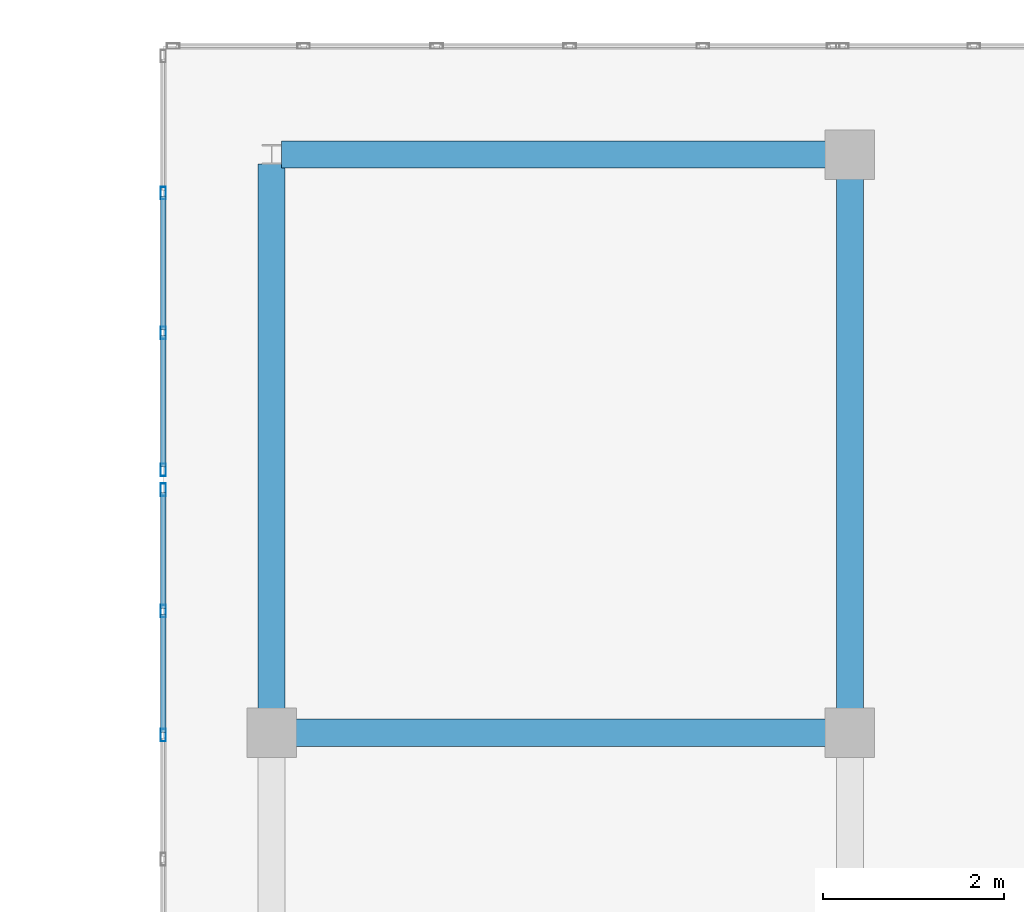
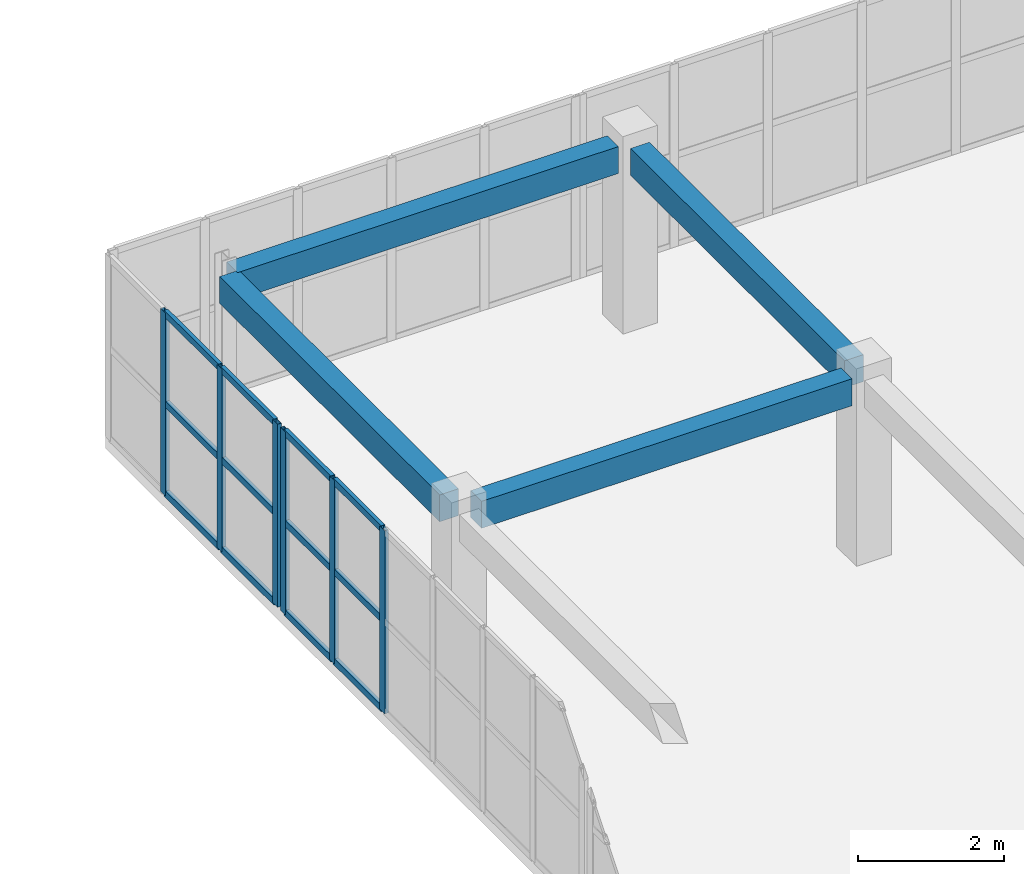
# One storey, part 55 of 148: 18 members, 4 beams, 2 elements without a shape of their own.
"""IFC4 building model written with IfcOpenShell, lengths in metres."""

from ifc_helpers import new_model, si_unit, direction, frame, origin, origin_2d, place, context, subcontext, project, spatial, rectangle, hollow_rectangle, extrude, material, layer, layer_set, material_profile, profile_set, type_object, element, aggregate, save


model = new_model("IFC4")

# Units and contexts
model_context = context("Model", 3, precision=1e-05, world=origin(), true_north=direction((0.0, 1.0)))
body_context = subcontext(model_context, "Body", "Model", "MODEL_VIEW")
ifc_project = project(units=[si_unit("LENGTHUNIT", "METRE"), si_unit("AREAUNIT", "SQUARE_METRE"), si_unit("VOLUMEUNIT", "CUBIC_METRE"), si_unit("PLANEANGLEUNIT", "RADIAN"), si_unit("MASSUNIT", "GRAM", prefix="KILO")], contexts=[model_context])

# Site, building, storey
site_placement = place(None, origin())
site = spatial("IfcSite", under=ifc_project, at=site_placement, CompositionType="ELEMENT")
building_placement = place(site_placement, origin())
building = spatial("IfcBuilding", under=site, at=building_placement, Name="Trelvath General Hospital", CompositionType="ELEMENT")
storey_placement = place(building_placement, frame((0.0, 0.0, 12.89990234375)))
storey = spatial("IfcBuildingStorey", under=building, at=storey_placement, Name="L03", CompositionType="ELEMENT", Elevation=12.89990234375)

# Beams
ifc_material_1 = material(Name="Concrete C35/45", Category="concrete")
ifc_material_profile_1 = material_profile(ifc_material_1, rectangle(XDim=0.300048828125, YDim=0.449951171875, at=origin_2d()), Name="RCB300x450")
ifc_profile_set_1 = profile_set([ifc_material_profile_1], Name="Concrete C35/45")
beam_type = type_object("IfcBeamType", Name="Beam RC300x450", PredefinedType="BEAM", material=ifc_profile_set_1)
beam_1_placement = place(storey_placement, frame((54.6708984375, 72.800048828125, 2.835205078125), z_axis=(1.0, 0.0, 0.0), x_axis=(0.0, 1.0, 0.0)))
element("IfcBeam", 1, at=beam_1_placement, inside=storey, type_object=beam_type, Name="Cube Interior Ring Beam CUBE-W-T1 L03", PredefinedType="BEAM", context=body_context, shape_type="SweptSolid", body=[
    extrude(rectangle(XDim=0.300048828125, YDim=0.449951171875, at=origin_2d()), origin(), (0.0, 0.0, 1.0), 5.858154296875),
])
for number, where, z_axis, x_axis, name in (
    (2, (54.506103515625, 79.199951171875, 2.835205078125), (1.0, 0.0, 0.0), (0.0, 1.0, 0.0), "Cube Interior Ring Beam CUBE-W-T1 L03"),
    (3, (54.39990234375, 73.071044921875, 2.835205078125), (0.0, 1.0, 0.0), (-1.0, 0.0, 0.0), "Cube Interior Ring Beam CUBE-W-T1 L03"),
):
    element("IfcBeam", number, at=place(storey_placement, frame(where, z_axis=z_axis, x_axis=x_axis)), inside=storey, type_object=beam_type, Name=name, PredefinedType="BEAM", context=body_context, shape_type="SweptSolid", body=[
        extrude(rectangle(XDim=0.300048828125, YDim=0.449951171875, at=origin_2d()), origin(), (0.0, 0.0, 1.0), 6.02294921875),
    ])
beam_2_placement = place(storey_placement, frame((60.800048828125, 73.071044921875, 2.835205078125), z_axis=(0.0, 1.0, 0.0), x_axis=(-1.0, 0.0, 0.0)))
element("IfcBeam", 4, at=beam_2_placement, inside=storey, type_object=beam_type, Name="Cube Interior Ring Beam CUBE-W-T1 L03", PredefinedType="BEAM", context=body_context, shape_type="SweptSolid", body=[
    extrude(rectangle(XDim=0.300048828125, YDim=0.449951171875, at=origin_2d()), origin(), (0.0, 0.0, 1.0), 5.85791015625),
])

# Curtain wall, members
ifc_material_2 = material(Name="Anodised aluminium and low-E glass", Category="aluminium")
ifc_layer_1 = layer(ifc_material_2, 0.14990234375)
ifc_layer_set_1 = layer_set([ifc_layer_1], Name="Anodised aluminium and low-E glass")
curtain_wall_type_1 = type_object("IfcCurtainWallType", Name="CW CrystalCube 824 306 15", PredefinedType="USERDEFINED", material=ifc_layer_set_1)
curtain_wall_1_placement = place(storey_placement, origin())
curtain_wall_1 = element("IfcCurtainWall", 5, at=curtain_wall_1_placement, inside=storey, type_object=curtain_wall_type_1, Name="Crystal Cube Curtain Wall CUBE-W-T1 W4 L03", ObjectType="Unitised Glazed Curtain Wall", PredefinedType="USERDEFINED")
ifc_material_3 = material(Name="Anodised aluminium", Category="aluminium")
ifc_material_profile_2 = material_profile(ifc_material_3, hollow_rectangle(XDim=0.06005859375, YDim=0.139892578125, WallThickness=0.00390625, at=origin_2d()), Name="RHS60x140x4")
ifc_profile_set_2 = profile_set([ifc_material_profile_2], Name="Anodised aluminium")
member_type_1 = type_object("IfcMemberType", Name="CurtainMullion 60x140", PredefinedType="MULLION", material=ifc_profile_set_2)
member_1_placement = place(storey_placement, frame((53.199951171875, 72.7734375, 0.0), z_axis=(0.0, 0.0, 1.0), x_axis=(-1.0, 0.0, 0.0)))
member_1 = element("IfcMember", 6, at=member_1_placement, type_object=member_type_1, Name="CW-240 mullion 5", PredefinedType="MULLION", context=body_context, shape_type="SweptSolid", body=[
    extrude(hollow_rectangle(XDim=0.06005859375, YDim=0.139892578125, WallThickness=0.00390625, at=origin_2d()), origin(), (0.0, 0.0, 1.0), 3.06005859375),
])
member_2_placement = place(storey_placement, frame((53.199951171875, 74.146728515625, 0.0), z_axis=(0.0, 0.0, 1.0), x_axis=(-1.0, 0.0, 0.0)))
member_2 = element("IfcMember", 7, at=member_2_placement, type_object=member_type_1, Name="CW-240 mullion 6", PredefinedType="MULLION", context=body_context, shape_type="SweptSolid", body=[
    extrude(hollow_rectangle(XDim=0.06005859375, YDim=0.139892578125, WallThickness=0.00390625, at=origin_2d()), origin(), (0.0, 0.0, 1.0), 3.06005859375),
])
member_3_placement = place(storey_placement, frame((53.199951171875, 75.489990234375, 0.0), z_axis=(0.0, 0.0, 1.0), x_axis=(-1.0, 0.0, 0.0)))
member_3 = element("IfcMember", 8, at=member_3_placement, type_object=member_type_1, Name="CW-240 mullion 7", PredefinedType="MULLION", context=body_context, shape_type="SweptSolid", body=[
    extrude(hollow_rectangle(XDim=0.06005859375, YDim=0.139892578125, WallThickness=0.00390625, at=origin_2d()), origin(), (0.0, 0.0, 1.0), 3.06005859375),
])

ifc_material_4 = material(Name="Anodised aluminium and low-E glass", Category="aluminium")
ifc_layer_2 = layer(ifc_material_4, 0.14990234375)
ifc_layer_set_2 = layer_set([ifc_layer_2], Name="Anodised aluminium and low-E glass")
curtain_wall_type_2 = type_object("IfcCurtainWallType", Name="CW CrystalCube 464 306 15", PredefinedType="USERDEFINED", material=ifc_layer_set_2)
curtain_wall_2_placement = place(storey_placement, origin())
curtain_wall_2 = element("IfcCurtainWall", 9, at=curtain_wall_2_placement, inside=storey, type_object=curtain_wall_type_2, Name="Crystal Cube Curtain Wall CUBE-W-T1 W5 L03", ObjectType="Unitised Glazed Curtain Wall", PredefinedType="USERDEFINED")
member_4_placement = place(storey_placement, frame((53.199951171875, 75.7099609375, 0.0), z_axis=(0.0, 0.0, 1.0), x_axis=(-1.0, 0.0, 0.0)))
member_4 = element("IfcMember", 10, at=member_4_placement, type_object=member_type_1, Name="CW-242 mullion 1", PredefinedType="MULLION", context=body_context, shape_type="SweptSolid", body=[
    extrude(hollow_rectangle(XDim=0.06005859375, YDim=0.139892578125, WallThickness=0.00390625, at=origin_2d()), origin(), (0.0, 0.0, 1.0), 3.06005859375),
])
member_5_placement = place(storey_placement, frame((53.199951171875, 77.2265625, 0.0), z_axis=(0.0, 0.0, 1.0), x_axis=(-1.0, 0.0, 0.0)))
member_5 = element("IfcMember", 11, at=member_5_placement, type_object=member_type_1, Name="CW-242 mullion 2", PredefinedType="MULLION", context=body_context, shape_type="SweptSolid", body=[
    extrude(hollow_rectangle(XDim=0.06005859375, YDim=0.139892578125, WallThickness=0.00390625, at=origin_2d()), origin(), (0.0, 0.0, 1.0), 3.06005859375),
])
member_6_placement = place(storey_placement, frame((53.199951171875, 78.7734375, 0.0), z_axis=(0.0, 0.0, 1.0), x_axis=(-1.0, 0.0, 0.0)))
member_6 = element("IfcMember", 12, at=member_6_placement, type_object=member_type_1, Name="CW-242 mullion 3", PredefinedType="MULLION", context=body_context, shape_type="SweptSolid", body=[
    extrude(hollow_rectangle(XDim=0.06005859375, YDim=0.139892578125, WallThickness=0.00390625, at=origin_2d()), origin(), (0.0, 0.0, 1.0), 3.06005859375),
])

# Member
ifc_material_5 = material(Name="Anodised aluminium", Category="aluminium")
ifc_material_profile_3 = material_profile(ifc_material_5, hollow_rectangle(XDim=0.06005859375, YDim=0.110107421875, WallThickness=0.00390625, at=origin_2d()), Name="RHS60x110x4")
ifc_profile_set_3 = profile_set([ifc_material_profile_3], Name="Anodised aluminium")
member_type_2 = type_object("IfcMemberType", Name="CurtainTransom 60x110", PredefinedType="USERDEFINED", material=ifc_profile_set_3)
member_7_placement = place(storey_placement, frame((53.199951171875, 72.80322265625, 0.030029296875), z_axis=(0.0, 1.0, 0.0), x_axis=(-1.0, 0.0, 0.0)))
member_7 = element("IfcMember", 13, at=member_7_placement, type_object=member_type_2, Name="CW-240 transom 5.1", ObjectType="TRANSOM", PredefinedType="USERDEFINED", context=body_context, shape_type="SweptSolid", body=[
    extrude(hollow_rectangle(XDim=0.06005859375, YDim=0.110107421875, WallThickness=0.00390625, at=origin_2d()), origin(), (0.0, 0.0, 1.0), 1.3134765625),
])

member_8_placement = place(storey_placement, frame((53.199951171875, 72.80322265625, 1.530029296875), z_axis=(0.0, 1.0, 0.0), x_axis=(-1.0, 0.0, 0.0)))
member_8 = element("IfcMember", 14, at=member_8_placement, type_object=member_type_2, Name="CW-240 transom 5.2", ObjectType="TRANSOM", PredefinedType="USERDEFINED", context=body_context, shape_type="SweptSolid", body=[
    extrude(hollow_rectangle(XDim=0.06005859375, YDim=0.110107421875, WallThickness=0.00390625, at=origin_2d()), origin(), (0.0, 0.0, 1.0), 1.3134765625),
])

member_9_placement = place(storey_placement, frame((53.199951171875, 72.80322265625, 3.030029296875), z_axis=(0.0, 1.0, 0.0), x_axis=(-1.0, 0.0, 0.0)))
member_9 = element("IfcMember", 15, at=member_9_placement, type_object=member_type_2, Name="CW-240 transom 5.3", ObjectType="TRANSOM", PredefinedType="USERDEFINED", context=body_context, shape_type="SweptSolid", body=[
    extrude(hollow_rectangle(XDim=0.06005859375, YDim=0.110107421875, WallThickness=0.00390625, at=origin_2d()), origin(), (0.0, 0.0, 1.0), 1.3134765625),
])

member_10_placement = place(storey_placement, frame((53.199951171875, 74.1767578125, 0.030029296875), z_axis=(0.0, 1.0, 0.0), x_axis=(-1.0, 0.0, 0.0)))
member_10 = element("IfcMember", 16, at=member_10_placement, type_object=member_type_2, Name="CW-240 transom 6.1", ObjectType="TRANSOM", PredefinedType="USERDEFINED", context=body_context, shape_type="SweptSolid", body=[
    extrude(hollow_rectangle(XDim=0.06005859375, YDim=0.110107421875, WallThickness=0.00390625, at=origin_2d()), origin(), (0.0, 0.0, 1.0), 1.283203125),
])

member_11_placement = place(storey_placement, frame((53.199951171875, 74.1767578125, 1.530029296875), z_axis=(0.0, 1.0, 0.0), x_axis=(-1.0, 0.0, 0.0)))
member_11 = element("IfcMember", 17, at=member_11_placement, type_object=member_type_2, Name="CW-240 transom 6.2", ObjectType="TRANSOM", PredefinedType="USERDEFINED", context=body_context, shape_type="SweptSolid", body=[
    extrude(hollow_rectangle(XDim=0.06005859375, YDim=0.110107421875, WallThickness=0.00390625, at=origin_2d()), origin(), (0.0, 0.0, 1.0), 1.283203125),
])

member_12_placement = place(storey_placement, frame((53.199951171875, 74.1767578125, 3.030029296875), z_axis=(0.0, 1.0, 0.0), x_axis=(-1.0, 0.0, 0.0)))
member_12 = element("IfcMember", 18, at=member_12_placement, type_object=member_type_2, Name="CW-240 transom 6.3", ObjectType="TRANSOM", PredefinedType="USERDEFINED", context=body_context, shape_type="SweptSolid", body=[
    extrude(hollow_rectangle(XDim=0.06005859375, YDim=0.110107421875, WallThickness=0.00390625, at=origin_2d()), origin(), (0.0, 0.0, 1.0), 1.283203125),
])

aggregate(curtain_wall_1, [member_1, member_2, member_3, member_7, member_8, member_9, member_10, member_11, member_12])

member_13_placement = place(storey_placement, frame((53.199951171875, 75.739990234375, 0.030029296875), z_axis=(0.0, 1.0, 0.0), x_axis=(-1.0, 0.0, 0.0)))
member_13 = element("IfcMember", 19, at=member_13_placement, type_object=member_type_2, Name="CW-242 transom 1.1", ObjectType="TRANSOM", PredefinedType="USERDEFINED", context=body_context, shape_type="SweptSolid", body=[
    extrude(hollow_rectangle(XDim=0.06005859375, YDim=0.110107421875, WallThickness=0.00390625, at=origin_2d()), origin(), (0.0, 0.0, 1.0), 1.456787109375),
])

member_14_placement = place(storey_placement, frame((53.199951171875, 75.739990234375, 1.530029296875), z_axis=(0.0, 1.0, 0.0), x_axis=(-1.0, 0.0, 0.0)))
member_14 = element("IfcMember", 20, at=member_14_placement, type_object=member_type_2, Name="CW-242 transom 1.2", ObjectType="TRANSOM", PredefinedType="USERDEFINED", context=body_context, shape_type="SweptSolid", body=[
    extrude(hollow_rectangle(XDim=0.06005859375, YDim=0.110107421875, WallThickness=0.00390625, at=origin_2d()), origin(), (0.0, 0.0, 1.0), 1.456787109375),
])

member_15_placement = place(storey_placement, frame((53.199951171875, 75.739990234375, 3.030029296875), z_axis=(0.0, 1.0, 0.0), x_axis=(-1.0, 0.0, 0.0)))
member_15 = element("IfcMember", 21, at=member_15_placement, type_object=member_type_2, Name="CW-242 transom 1.3", ObjectType="TRANSOM", PredefinedType="USERDEFINED", context=body_context, shape_type="SweptSolid", body=[
    extrude(hollow_rectangle(XDim=0.06005859375, YDim=0.110107421875, WallThickness=0.00390625, at=origin_2d()), origin(), (0.0, 0.0, 1.0), 1.456787109375),
])

member_16_placement = place(storey_placement, frame((53.199951171875, 77.256591796875, 0.030029296875), z_axis=(0.0, 1.0, 0.0), x_axis=(-1.0, 0.0, 0.0)))
member_16 = element("IfcMember", 22, at=member_16_placement, type_object=member_type_2, Name="CW-242 transom 2.1", ObjectType="TRANSOM", PredefinedType="USERDEFINED", context=body_context, shape_type="SweptSolid", body=[
    extrude(hollow_rectangle(XDim=0.06005859375, YDim=0.110107421875, WallThickness=0.00390625, at=origin_2d()), origin(), (0.0, 0.0, 1.0), 1.48681640625),
])

member_17_placement = place(storey_placement, frame((53.199951171875, 77.256591796875, 1.530029296875), z_axis=(0.0, 1.0, 0.0), x_axis=(-1.0, 0.0, 0.0)))
member_17 = element("IfcMember", 23, at=member_17_placement, type_object=member_type_2, Name="CW-242 transom 2.2", ObjectType="TRANSOM", PredefinedType="USERDEFINED", context=body_context, shape_type="SweptSolid", body=[
    extrude(hollow_rectangle(XDim=0.06005859375, YDim=0.110107421875, WallThickness=0.00390625, at=origin_2d()), origin(), (0.0, 0.0, 1.0), 1.48681640625),
])

member_18_placement = place(storey_placement, frame((53.199951171875, 77.256591796875, 3.030029296875), z_axis=(0.0, 1.0, 0.0), x_axis=(-1.0, 0.0, 0.0)))
member_18 = element("IfcMember", 24, at=member_18_placement, type_object=member_type_2, Name="CW-242 transom 2.3", ObjectType="TRANSOM", PredefinedType="USERDEFINED", context=body_context, shape_type="SweptSolid", body=[
    extrude(hollow_rectangle(XDim=0.06005859375, YDim=0.110107421875, WallThickness=0.00390625, at=origin_2d()), origin(), (0.0, 0.0, 1.0), 1.48681640625),
])

aggregate(curtain_wall_2, [member_4, member_5, member_6, member_13, member_14, member_15, member_16, member_17, member_18])

save(model, "model.ifc")
